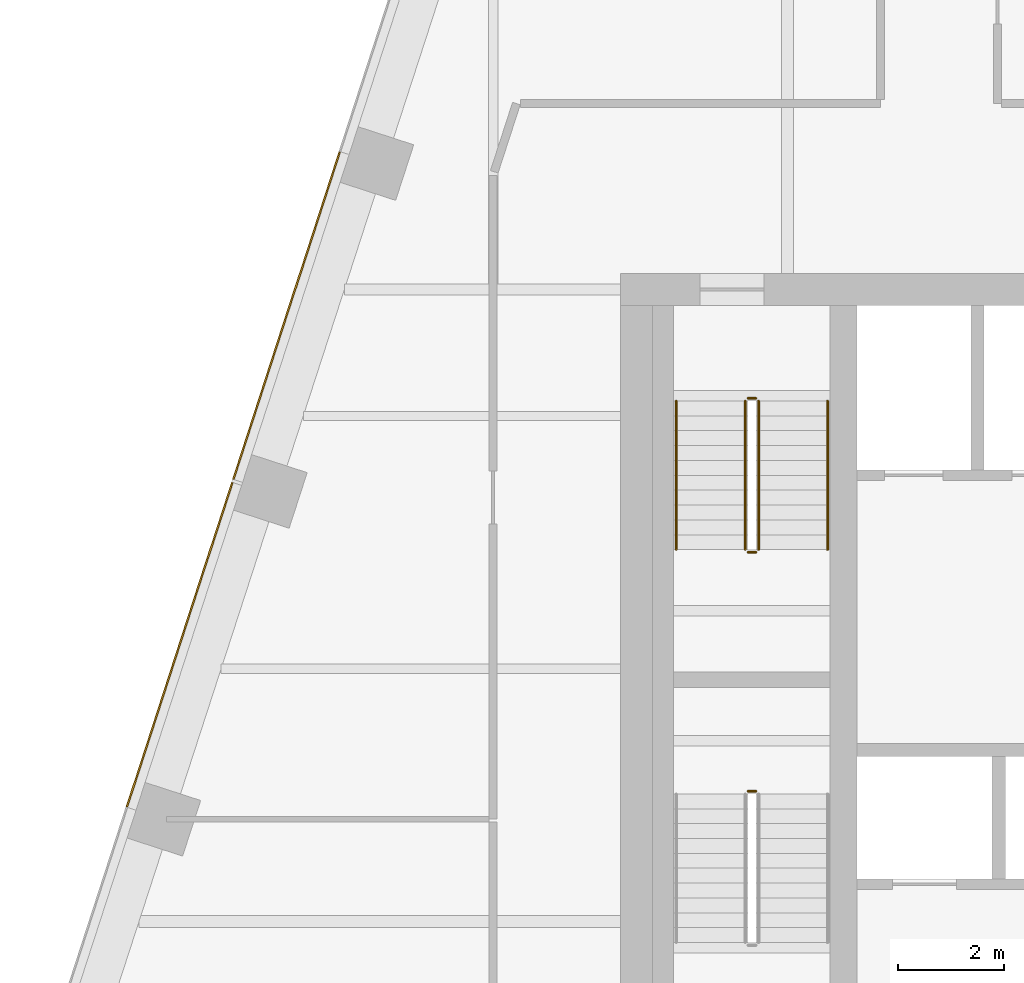
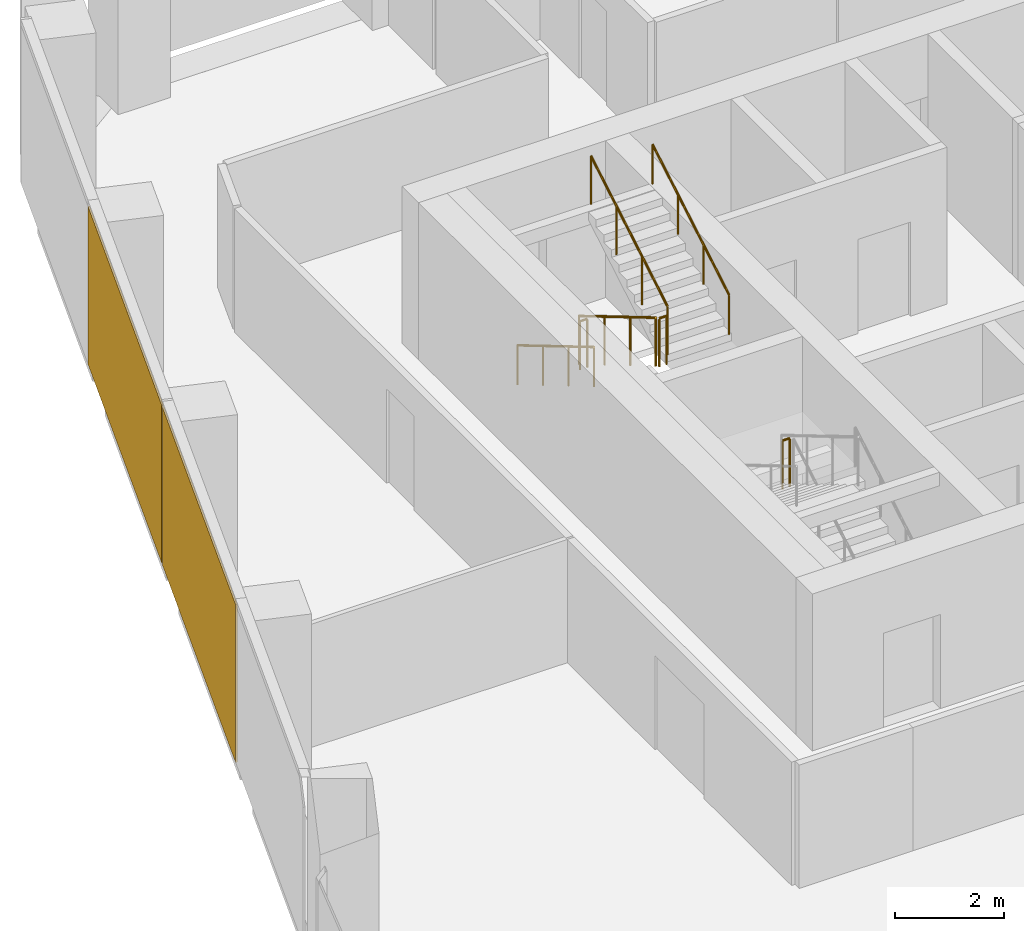
# One storey, part 14 of 15: 7 railings, 2 coverings, 1 element without a shape of its own.
"""IFC4 building model written with IfcOpenShell, lengths in metres."""

from ifc_helpers import new_model, si_unit, direction, frame, origin, origin_2d, place, context, subcontext, project, spatial, rectangle, circle, extrude, material, layer, layer_set, type_object, element, aggregate, save


model = new_model("IFC4")

# Units and contexts
model_context = context("Model", 3, precision=1e-05, world=origin(), true_north=direction((0.0, 1.0)))
body_context = subcontext(model_context, "Body", "Model", "MODEL_VIEW")
ifc_project = project(units=[si_unit("LENGTHUNIT", "METRE"), si_unit("AREAUNIT", "SQUARE_METRE"), si_unit("VOLUMEUNIT", "CUBIC_METRE"), si_unit("PLANEANGLEUNIT", "RADIAN"), si_unit("MASSUNIT", "GRAM", prefix="KILO")], contexts=[model_context])

# Site, building, storey
site_placement = place(None, origin())
site = spatial("IfcSite", under=ifc_project, at=site_placement, CompositionType="ELEMENT")
building_placement = place(site_placement, origin())
building = spatial("IfcBuilding", under=site, at=building_placement, Name="Isthmus Gate Tower", CompositionType="ELEMENT")
storey_placement = place(building_placement, frame((0.0, 0.0, 241.85009765625)))
storey = spatial("IfcBuildingStorey", under=building, at=storey_placement, Name="L61", CompositionType="ELEMENT", Elevation=241.85009765625)

# Curtain wall, coverings
ifc_material_1 = material(Name="Aluminium, pale champagne anodised", Category="aluminium")
ifc_layer_1 = layer(ifc_material_1, 0.199951171875)
ifc_layer_set_1 = layer_set([ifc_layer_1], Name="CW-1 UNITISED CURTAIN WALL 200 DEEP")
curtain_wall_type = type_object("IfcCurtainWallType", Name="CW-1 UNITISED CURTAIN WALL 200 DEEP", PredefinedType="NOTDEFINED", material=ifc_layer_set_1)
curtain_wall_placement = place(storey_placement, origin())
curtain_wall = element("IfcCurtainWall", 1, at=curtain_wall_placement, inside=storey, type_object=curtain_wall_type, Name="CW-1 NW L61", PredefinedType="NOTDEFINED")
ifc_material_2 = material(Name="Aluminium composite panel, pale champagne anodised", Category="aluminium")
ifc_layer_2 = layer(ifc_material_2, 0.031982421875)
ifc_layer_set_2 = layer_set([ifc_layer_2], Name="CW-1 PALE METAL PANEL 32")
covering_type = type_object("IfcCoveringType", Name="CW-1 PALE METAL PANEL 32", PredefinedType="CLADDING", material=ifc_layer_set_2)
covering_1_placement = place(storey_placement, frame((-21.288330078125, 14.210693359375, 0.0), z_axis=(0.0, 0.0, 1.0), x_axis=(-0.309016994375, -0.951056516295, 0.0)))
covering_1 = element("IfcCovering", 2, at=covering_1_placement, type_object=covering_type, Name="CW-1 pale metal panel", PredefinedType="CLADDING", context=body_context, shape_type="SweptSolid", body=[
    extrude(rectangle(XDim=6.491943359375, YDim=0.031982421875, at=origin_2d()), origin(), (0.0, 0.0, 1.0), 3.52001953125),
])
covering_2_placement = place(storey_placement, frame((-23.3037109375, 8.0078125, 0.0), z_axis=(0.0, 0.0, 1.0), x_axis=(-0.309016994375, -0.951056516295, 0.0)))
covering_2 = element("IfcCovering", 3, at=covering_2_placement, type_object=covering_type, Name="CW-1 pale metal panel", PredefinedType="CLADDING", context=body_context, shape_type="SweptSolid", body=[
    extrude(rectangle(XDim=6.431884765625, YDim=0.031982421875, at=origin_2d()), origin(), (0.0, 0.0, 1.0), 3.52001953125),
])
aggregate(curtain_wall, [covering_1, covering_2])

# Railings
ifc_material_3 = material(Name="Stainless steel balustrade", Category="steel")
railing_type_1 = type_object("IfcRailingType", Name="STAIR GUARD 1100", PredefinedType="GUARDRAIL", material=ifc_material_3)
railing_1_placement = place(storey_placement, frame((-12.64990234375, 12.60009765625, 0.165771484375)))
element("IfcRailing", 4, at=railing_1_placement, inside=storey, type_object=railing_type_1, Name="L61 ST1 stair guard 1", PredefinedType="GUARDRAIL", context=body_context, shape_type="SweptSolid", body=[
    extrude(circle(Radius=0.02392578125, at=origin_2d()), frame((0.0, 0.0, 1.076171875), z_axis=(0.0, -0.860306154799, 0.50977771628), x_axis=(1.0, 0.0, 0.0)), (0.0, 0.0, 1.0), 3.254638671875),
    extrude(circle(Radius=0.02099609375, at=origin_2d()), origin(), (0.0, 0.0, 1.0), 1.052001953125),
    extrude(circle(Radius=0.02099609375, at=origin_2d()), frame((0.0, -0.933349609375, 0.552978515625)), (0.0, 0.0, 1.0), 1.052001953125),
    extrude(circle(Radius=0.02099609375, at=origin_2d()), frame((0.0, -1.86669921875, 1.106201171875)), (0.0, 0.0, 1.0), 1.052001953125),
    extrude(circle(Radius=0.02099609375, at=origin_2d()), frame((0.0, -2.800048828125, 1.6591796875)), (0.0, 0.0, 1.0), 1.052001953125),
])
railing_2_placement = place(storey_placement, frame((-12.60009765625, 9.75, 1.824951171875)))
element("IfcRailing", 5, at=railing_2_placement, inside=storey, type_object=railing_type_1, Name="L61 ST1 stair guard 2", PredefinedType="GUARDRAIL", context=body_context, shape_type="SweptSolid", body=[
    extrude(circle(Radius=0.02392578125, at=origin_2d()), frame((0.0, 0.0, 1.076171875), z_axis=(1.0, 0.0, 0.0), x_axis=(0.0, 1.0, 0.0)), (0.0, 0.0, 1.0), 0.150146484375),
    extrude(circle(Radius=0.02099609375, at=origin_2d()), origin(), (0.0, 0.0, 1.0), 1.052001953125),
    extrude(circle(Radius=0.02099609375, at=origin_2d()), frame((0.150146484375, 0.0, 0.0)), (0.0, 0.0, 1.0), 1.052001953125),
])
railing_3_placement = place(storey_placement, frame((-12.39990234375, 9.800048828125, 1.99072265625)))
element("IfcRailing", 6, at=railing_3_placement, inside=storey, type_object=railing_type_1, Name="L61 ST1 stair guard 3", PredefinedType="GUARDRAIL", context=body_context, shape_type="SweptSolid", body=[
    extrude(circle(Radius=0.02392578125, at=origin_2d()), frame((0.0, 0.0, 1.076171875), z_axis=(0.0, 0.860306154799, 0.50977771628), x_axis=(-1.0, 0.0, 0.0)), (0.0, 0.0, 1.0), 3.254638671875),
    extrude(circle(Radius=0.02099609375, at=origin_2d()), origin(), (0.0, 0.0, 1.0), 1.052001953125),
    extrude(circle(Radius=0.02099609375, at=origin_2d()), frame((0.0, 0.933349609375, 0.552978515625)), (0.0, 0.0, 1.0), 1.052001953125),
    extrude(circle(Radius=0.02099609375, at=origin_2d()), frame((0.0, 1.86669921875, 1.106201171875)), (0.0, 0.0, 1.0), 1.052001953125),
    extrude(circle(Radius=0.02099609375, at=origin_2d()), frame((0.0, 2.800048828125, 1.6591796875)), (0.0, 0.0, 1.0), 1.052001953125),
])
railing_4_placement = place(storey_placement, frame((-12.60009765625, 12.64990234375, 0.0)))
element("IfcRailing", 7, at=railing_4_placement, inside=storey, type_object=railing_type_1, Name="L61 ST1 stair guard 4", PredefinedType="GUARDRAIL", context=body_context, shape_type="SweptSolid", body=[
    extrude(circle(Radius=0.02392578125, at=origin_2d()), frame((0.0, 0.0, 1.076171875), z_axis=(1.0, 0.0, 0.0), x_axis=(0.0, 1.0, 0.0)), (0.0, 0.0, 1.0), 0.150146484375),
    extrude(circle(Radius=0.02099609375, at=origin_2d()), origin(), (0.0, 0.0, 1.0), 1.052001953125),
    extrude(circle(Radius=0.02099609375, at=origin_2d()), frame((0.150146484375, 0.0, 0.0)), (0.0, 0.0, 1.0), 1.052001953125),
])
railing_5_placement = place(storey_placement, frame((-12.449951171875, 5.25, 1.824951171875)))
element("IfcRailing", 8, at=railing_5_placement, inside=storey, type_object=railing_type_1, Name="L61 ST7 stair guard 2", PredefinedType="GUARDRAIL", context=body_context, shape_type="SweptSolid", body=[
    extrude(circle(Radius=0.02392578125, at=origin_2d()), frame((0.0, 0.0, 1.076171875), z_axis=(-1.0, 0.0, 0.0), x_axis=(0.0, -1.0, 0.0)), (0.0, 0.0, 1.0), 0.150146484375),
    extrude(circle(Radius=0.02099609375, at=origin_2d()), origin(), (0.0, 0.0, 1.0), 1.052001953125),
    extrude(circle(Radius=0.02099609375, at=origin_2d()), frame((-0.150146484375, 0.0, 0.0)), (0.0, 0.0, 1.0), 1.052001953125),
])
ifc_material_4 = material(Name="Stainless steel handrail", Category="steel")
railing_type_2 = type_object("IfcRailingType", Name="STAIR HANDRAIL 900", PredefinedType="HANDRAIL", material=ifc_material_4)
railing_6_placement = place(storey_placement, frame((-13.949951171875, 12.60009765625, 0.165771484375)))
element("IfcRailing", 9, at=railing_6_placement, inside=storey, type_object=railing_type_2, Name="L61 ST1 stair handrail 1", PredefinedType="HANDRAIL", context=body_context, shape_type="SweptSolid", body=[
    extrude(circle(Radius=0.02392578125, at=origin_2d()), frame((0.0, 0.0, 0.8759765625), z_axis=(0.0, -0.860306154799, 0.50977771628), x_axis=(1.0, 0.0, 0.0)), (0.0, 0.0, 1.0), 3.254638671875),
    extrude(circle(Radius=0.02099609375, at=origin_2d()), origin(), (0.0, 0.0, 1.0), 0.851806640625),
    extrude(circle(Radius=0.02099609375, at=origin_2d()), frame((0.0, -0.933349609375, 0.552978515625)), (0.0, 0.0, 1.0), 0.851806640625),
    extrude(circle(Radius=0.02099609375, at=origin_2d()), frame((0.0, -1.86669921875, 1.106201171875)), (0.0, 0.0, 1.0), 0.851806640625),
    extrude(circle(Radius=0.02099609375, at=origin_2d()), frame((0.0, -2.800048828125, 1.6591796875)), (0.0, 0.0, 1.0), 0.851806640625),
])
railing_7_placement = place(storey_placement, frame((-11.10009765625, 9.800048828125, 1.99072265625)))
element("IfcRailing", 10, at=railing_7_placement, inside=storey, type_object=railing_type_2, Name="L61 ST1 stair handrail 2", PredefinedType="HANDRAIL", context=body_context, shape_type="SweptSolid", body=[
    extrude(circle(Radius=0.02392578125, at=origin_2d()), frame((0.0, 0.0, 0.8759765625), z_axis=(0.0, 0.860306154799, 0.50977771628), x_axis=(-1.0, 0.0, 0.0)), (0.0, 0.0, 1.0), 3.254638671875),
    extrude(circle(Radius=0.02099609375, at=origin_2d()), origin(), (0.0, 0.0, 1.0), 0.851806640625),
    extrude(circle(Radius=0.02099609375, at=origin_2d()), frame((0.0, 0.933349609375, 0.552978515625)), (0.0, 0.0, 1.0), 0.851806640625),
    extrude(circle(Radius=0.02099609375, at=origin_2d()), frame((0.0, 1.86669921875, 1.106201171875)), (0.0, 0.0, 1.0), 0.851806640625),
    extrude(circle(Radius=0.02099609375, at=origin_2d()), frame((0.0, 2.800048828125, 1.6591796875)), (0.0, 0.0, 1.0), 0.851806640625),
])

save(model, "model.ifc")
